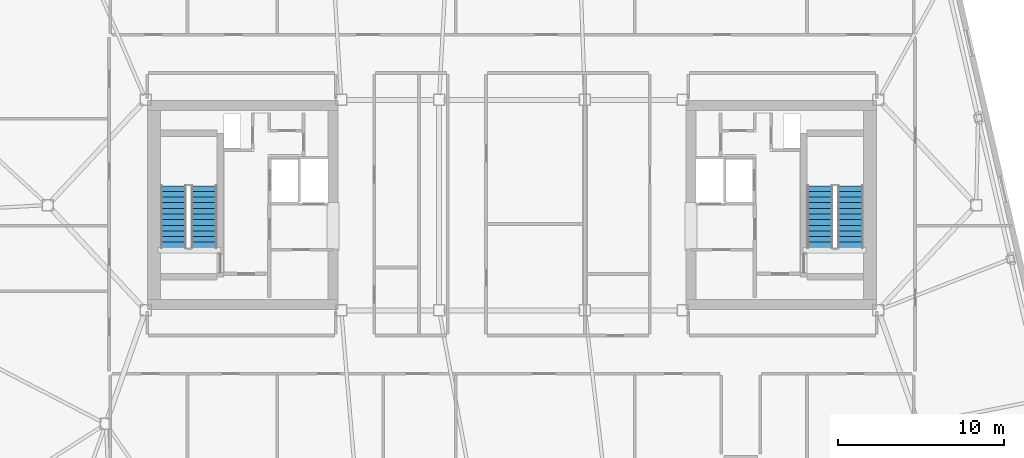
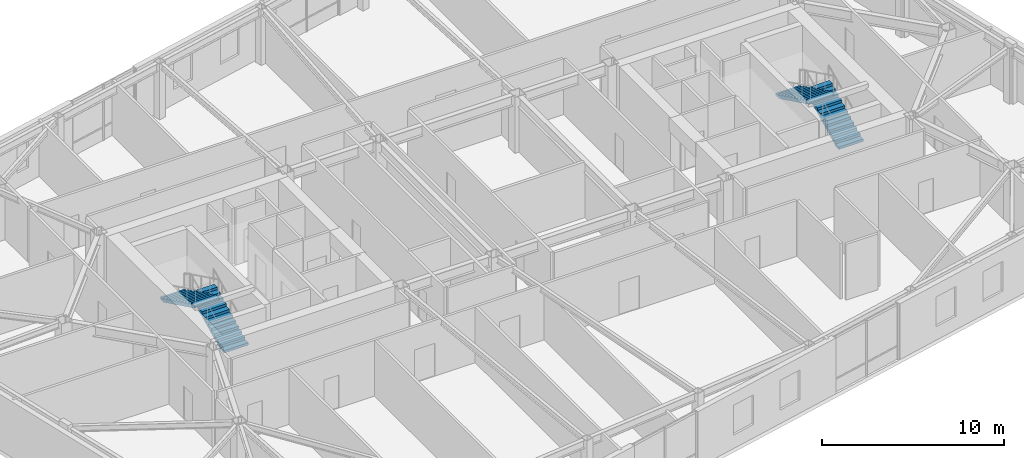
# One storey, part 20 of 23: 4 stair flights, 2 elements without a shape of their own.
"""IFC4 building model written with IfcOpenShell, lengths in metres."""

from ifc_helpers import new_model, si_unit, direction, frame, origin, place, context, subcontext, project, spatial, polyline, outline, extrude, material, type_object, element, aggregate, save


model = new_model("IFC4")

# Units and contexts
model_context = context("Model", 3, precision=1e-05, world=origin(), true_north=direction((0.0, 1.0)))
body_context = subcontext(model_context, "Body", "Model", "MODEL_VIEW")
ifc_project = project(units=[si_unit("LENGTHUNIT", "METRE"), si_unit("AREAUNIT", "SQUARE_METRE"), si_unit("VOLUMEUNIT", "CUBIC_METRE"), si_unit("PLANEANGLEUNIT", "RADIAN"), si_unit("MASSUNIT", "GRAM", prefix="KILO")], contexts=[model_context])

# Site, building, storey
site_placement = place(None, origin())
site = spatial("IfcSite", under=ifc_project, at=site_placement, CompositionType="ELEMENT")
building_placement = place(site_placement, origin())
building = spatial("IfcBuilding", under=site, at=building_placement, Name="Tavrogorsk Clinical Tower", CompositionType="ELEMENT")
storey_placement = place(building_placement, frame((0.0, 0.0, 297.0)))
storey = spatial("IfcBuildingStorey", under=building, at=storey_placement, Name="L69", CompositionType="ELEMENT", Elevation=297.0)

# Stair, stair flights
ifc_material_1 = material(Name="Concrete B60", Category="concrete")
stair_type = type_object("IfcStairType", Name="CoreStairAssembly", PredefinedType="HALF_TURN_STAIR", material=ifc_material_1)
stair_1_placement = place(storey_placement, origin())
stair_1 = element("IfcStair", 1, at=stair_1_placement, inside=storey, type_object=stair_type, Name="L69 ST-W", PredefinedType="HALF_TURN_STAIR")
ifc_material_2 = material(Name="Concrete B60", Category="concrete")
stair_flight_type = type_object("IfcStairFlightType", Name="CoreStairFlight", PredefinedType="STRAIGHT", material=ifc_material_2)
stair_flight_1_placement = place(storey_placement, frame((-18.574951171875, -2.574951171875, 0.0), z_axis=(0.0, 0.0, 1.0), x_axis=(0.0, 1.0, 0.0)))
stair_flight_1 = element("IfcStairFlight", 2, at=stair_flight_1_placement, type_object=stair_flight_type, Name="ST-W flight 1", NumberOfRisers=12, NumberOfTreads=11, PredefinedType="STRAIGHT", RiserHeight=0.166666667, TreadLength=0.34, context=body_context, shape_type="SweptSolid", body=[
    extrude(outline(polyline([(0.0, 0.0), (0.0, 0.166748046875), (0.340087890625, 0.166748046875), (0.340087890625, 0.333251953125), (0.679931640625, 0.333251953125), (0.679931640625, 0.5), (1.02001953125, 0.5), (1.02001953125, 0.666748046875), (1.360107421875, 0.666748046875), (1.360107421875, 0.833251953125), (1.699951171875, 0.833251953125), (1.699951171875, 1.0), (2.0400390625, 1.0), (2.0400390625, 1.166748046875), (2.3798828125, 1.166748046875), (2.3798828125, 1.333251953125), (2.719970703125, 1.333251953125), (2.719970703125, 1.5), (3.06005859375, 1.5), (3.06005859375, 1.666748046875), (3.39990234375, 1.666748046875), (3.39990234375, 1.833251953125), (3.739990234375, 1.833251953125), (3.739990234375, 2.0), (3.739990234375, 1.66650390625), (0.340576171875, 0.0), (0.0, 0.0)])), frame((0.0, 0.77490234375, 0.0), z_axis=(0.0, -1.0, 0.0), x_axis=(1.0, 0.0, 0.0)), (0.0, 0.0, 1.0), 1.550048828125),
])
stair_flight_2_placement = place(storey_placement, frame((-20.425048828125, 1.1650390625, 2.0), z_axis=(0.0, 0.0, 1.0), x_axis=(0.0, -1.0, 0.0)))
stair_flight_2 = element("IfcStairFlight", 3, at=stair_flight_2_placement, type_object=stair_flight_type, Name="ST-W flight 2", NumberOfRisers=12, NumberOfTreads=11, PredefinedType="STRAIGHT", RiserHeight=0.166666667, TreadLength=0.34, context=body_context, shape_type="SweptSolid", body=[
    extrude(outline(polyline([(0.0, 0.0), (0.0, 0.166748046875), (0.340087890625, 0.166748046875), (0.340087890625, 0.333251953125), (0.679931640625, 0.333251953125), (0.679931640625, 0.5), (1.02001953125, 0.5), (1.02001953125, 0.666748046875), (1.360107421875, 0.666748046875), (1.360107421875, 0.833251953125), (1.699951171875, 0.833251953125), (1.699951171875, 1.0), (2.0400390625, 1.0), (2.0400390625, 1.166748046875), (2.3798828125, 1.166748046875), (2.3798828125, 1.333251953125), (2.719970703125, 1.333251953125), (2.719970703125, 1.5), (3.06005859375, 1.5), (3.06005859375, 1.666748046875), (3.39990234375, 1.666748046875), (3.39990234375, 1.833251953125), (3.739990234375, 1.833251953125), (3.739990234375, 2.0), (3.739990234375, 1.66650390625), (0.340576171875, 0.0), (0.0, 0.0)])), frame((0.0, 0.77490234375, 0.0), z_axis=(0.0, -1.0, 0.0), x_axis=(1.0, 0.0, 0.0)), (0.0, 0.0, 1.0), 1.550048828125),
])
aggregate(stair_1, [stair_flight_1, stair_flight_2])

stair_2_placement = place(storey_placement, origin())
stair_2 = element("IfcStair", 4, at=stair_2_placement, inside=storey, type_object=stair_type, Name="L69 ST-E", PredefinedType="HALF_TURN_STAIR")
stair_flight_3_placement = place(storey_placement, frame((20.425048828125, -2.574951171875, 0.0), z_axis=(0.0, 0.0, 1.0), x_axis=(0.0, 1.0, 0.0)))
stair_flight_3 = element("IfcStairFlight", 5, at=stair_flight_3_placement, type_object=stair_flight_type, Name="ST-E flight 1", NumberOfRisers=12, NumberOfTreads=11, PredefinedType="STRAIGHT", RiserHeight=0.166666667, TreadLength=0.34, context=body_context, shape_type="SweptSolid", body=[
    extrude(outline(polyline([(0.0, 0.0), (0.0, 0.166748046875), (0.340087890625, 0.166748046875), (0.340087890625, 0.333251953125), (0.679931640625, 0.333251953125), (0.679931640625, 0.5), (1.02001953125, 0.5), (1.02001953125, 0.666748046875), (1.360107421875, 0.666748046875), (1.360107421875, 0.833251953125), (1.699951171875, 0.833251953125), (1.699951171875, 1.0), (2.0400390625, 1.0), (2.0400390625, 1.166748046875), (2.3798828125, 1.166748046875), (2.3798828125, 1.333251953125), (2.719970703125, 1.333251953125), (2.719970703125, 1.5), (3.06005859375, 1.5), (3.06005859375, 1.666748046875), (3.39990234375, 1.666748046875), (3.39990234375, 1.833251953125), (3.739990234375, 1.833251953125), (3.739990234375, 2.0), (3.739990234375, 1.66650390625), (0.340576171875, 0.0), (0.0, 0.0)])), frame((0.0, 0.77490234375, 0.0), z_axis=(0.0, -1.0, 0.0), x_axis=(1.0, 0.0, 0.0)), (0.0, 0.0, 1.0), 1.550048828125),
])
stair_flight_4_placement = place(storey_placement, frame((18.574951171875, 1.1650390625, 2.0), z_axis=(0.0, 0.0, 1.0), x_axis=(0.0, -1.0, 0.0)))
stair_flight_4 = element("IfcStairFlight", 6, at=stair_flight_4_placement, type_object=stair_flight_type, Name="ST-E flight 2", NumberOfRisers=12, NumberOfTreads=11, PredefinedType="STRAIGHT", RiserHeight=0.166666667, TreadLength=0.34, context=body_context, shape_type="SweptSolid", body=[
    extrude(outline(polyline([(0.0, 0.0), (0.0, 0.166748046875), (0.340087890625, 0.166748046875), (0.340087890625, 0.333251953125), (0.679931640625, 0.333251953125), (0.679931640625, 0.5), (1.02001953125, 0.5), (1.02001953125, 0.666748046875), (1.360107421875, 0.666748046875), (1.360107421875, 0.833251953125), (1.699951171875, 0.833251953125), (1.699951171875, 1.0), (2.0400390625, 1.0), (2.0400390625, 1.166748046875), (2.3798828125, 1.166748046875), (2.3798828125, 1.333251953125), (2.719970703125, 1.333251953125), (2.719970703125, 1.5), (3.06005859375, 1.5), (3.06005859375, 1.666748046875), (3.39990234375, 1.666748046875), (3.39990234375, 1.833251953125), (3.739990234375, 1.833251953125), (3.739990234375, 2.0), (3.739990234375, 1.66650390625), (0.340576171875, 0.0), (0.0, 0.0)])), frame((0.0, 0.77490234375, 0.0), z_axis=(0.0, -1.0, 0.0), x_axis=(1.0, 0.0, 0.0)), (0.0, 0.0, 1.0), 1.550048828125),
])
aggregate(stair_2, [stair_flight_3, stair_flight_4])

save(model, "model.ifc")
